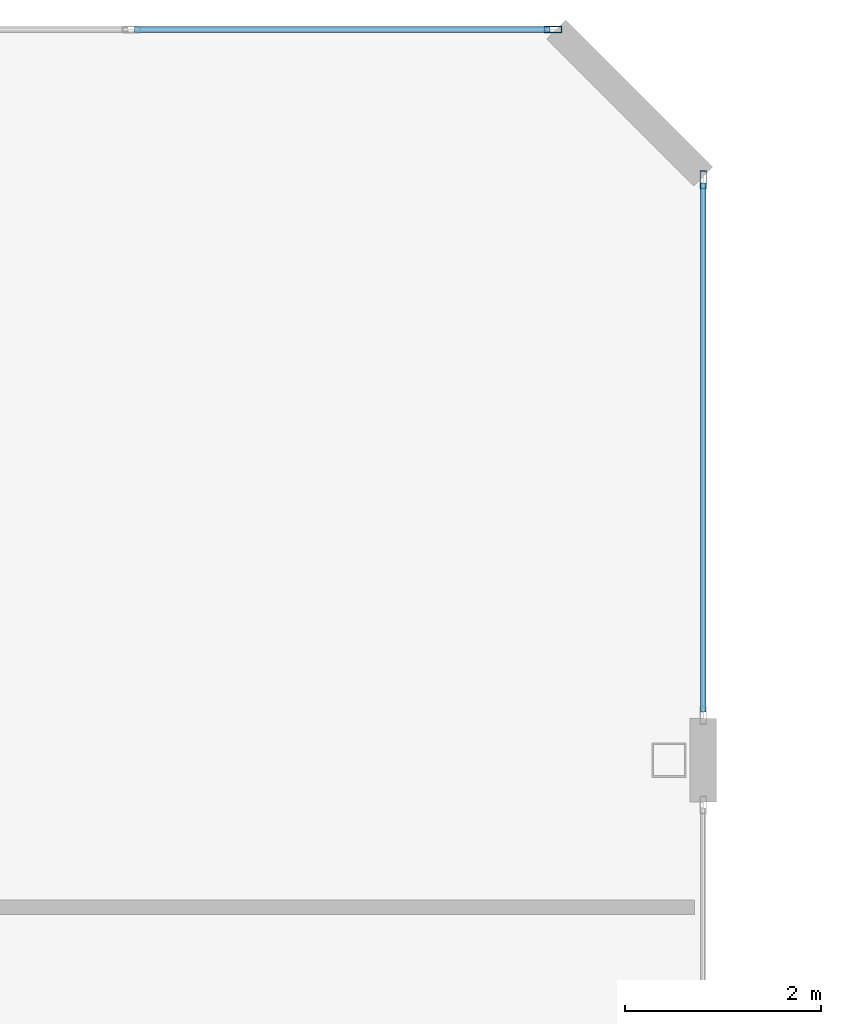
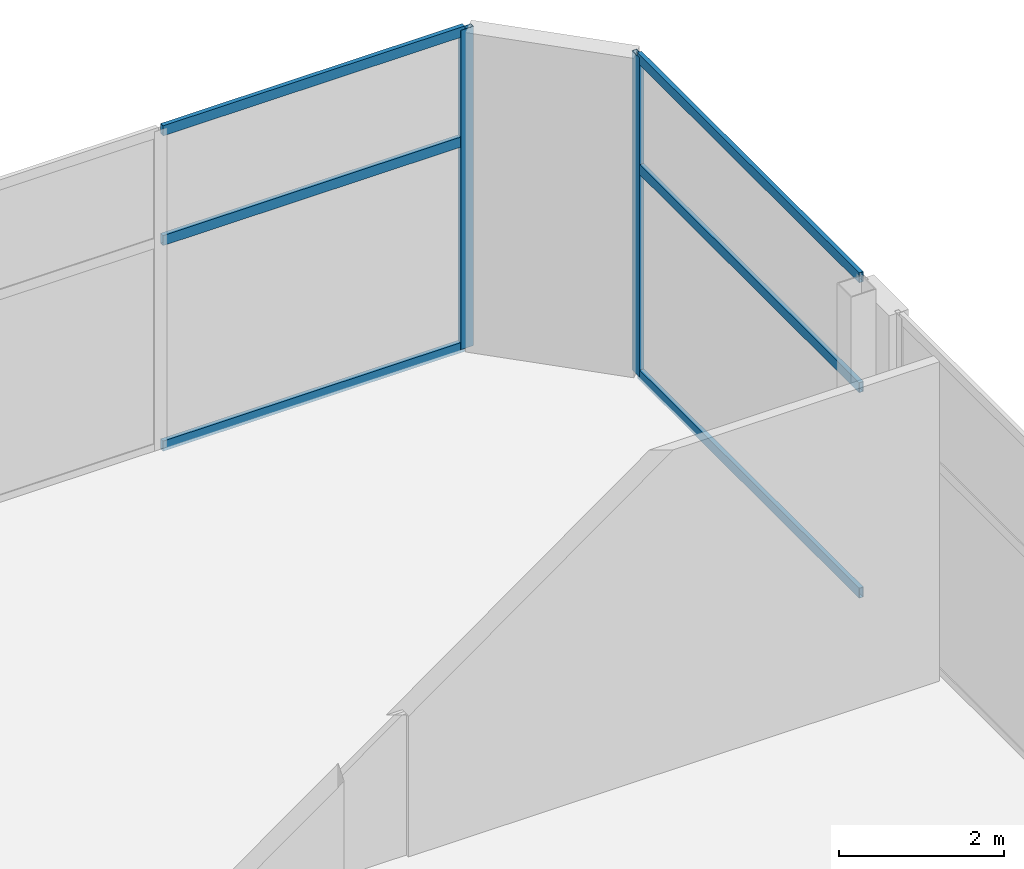
# One storey, part 14 of 18: 8 members, 2 elements without a shape of their own.
"""IFC4 building model written with IfcOpenShell, lengths in metres."""

from ifc_helpers import new_model, si_unit, direction, frame, origin, origin_2d, place, context, subcontext, project, spatial, hollow_rectangle, extrude, material, layer, layer_set, material_profile, profile_set, type_object, element, aggregate, save


model = new_model("IFC4")

# Units and contexts
model_context = context("Model", 3, precision=1e-05, world=origin(), true_north=direction((0.0, 1.0)))
body_context = subcontext(model_context, "Body", "Model", "MODEL_VIEW")
ifc_project = project(units=[si_unit("LENGTHUNIT", "METRE"), si_unit("AREAUNIT", "SQUARE_METRE"), si_unit("VOLUMEUNIT", "CUBIC_METRE"), si_unit("PLANEANGLEUNIT", "RADIAN"), si_unit("MASSUNIT", "GRAM", prefix="KILO")], contexts=[model_context])

# Site, building, storey
site_placement = place(None, origin())
site = spatial("IfcSite", under=ifc_project, at=site_placement, CompositionType="ELEMENT")
building_placement = place(site_placement, origin())
building = spatial("IfcBuilding", under=site, at=building_placement, Name="Mawjaban Terraces University", CompositionType="ELEMENT")
storey_placement = place(building_placement, frame((0.0, 0.0, 316.699951171875)))
storey = spatial("IfcBuildingStorey", under=building, at=storey_placement, Name="L77", CompositionType="ELEMENT", Elevation=316.699951171875)

# Curtain wall, member
ifc_material_1 = material(Name="Anodised aluminium 6063-T6 and solar-control low-E glass", Category="aluminium")
ifc_layer = layer(ifc_material_1, 0.199951171875)
ifc_layer_set = layer_set([ifc_layer], Name="Anodised aluminium 6063-T6 and solar-control low-E glass")
curtain_wall_type = type_object("IfcCurtainWallType", Name="CWSystem_06_ObservationCrown", PredefinedType="NOTDEFINED", material=ifc_layer_set)
curtain_wall_1_placement = place(storey_placement, origin())
curtain_wall_1 = element("IfcCurtainWall", 1, at=curtain_wall_1_placement, inside=storey, type_object=curtain_wall_type, Name="L77 Curtain Wall CW-06 Run 3.3", PredefinedType="NOTDEFINED")
ifc_material_2 = material(Name="Anodised aluminium 6063-T6", Category="aluminium")
ifc_material_profile_1 = material_profile(ifc_material_2, hollow_rectangle(XDim=0.06494140625, YDim=0.179931640625, WallThickness=0.00390625, at=origin_2d()), Name="ALU180X65X4")
ifc_profile_set_1 = profile_set([ifc_material_profile_1], Name="Anodised aluminium 6063-T6")
member_type_1 = type_object("IfcMemberType", Name="Mullion_CW-06", PredefinedType="MULLION", material=ifc_profile_set_1)
member_1_placement = place(storey_placement, frame((38.0, 35.91748046875, 0.0), z_axis=(0.0, 0.0, 1.0), x_axis=(-1.0, 0.0, 0.0)))
member_1 = element("IfcMember", 2, at=member_1_placement, type_object=member_type_1, Name="CW-06 mullion 2", PredefinedType="MULLION", context=body_context, shape_type="SweptSolid", body=[
    extrude(hollow_rectangle(XDim=0.06494140625, YDim=0.179931640625, WallThickness=0.00390625, at=origin_2d()), origin(), (0.0, 0.0, 1.0), 4.739990234375),
])

curtain_wall_2_placement = place(storey_placement, origin())
curtain_wall_2 = element("IfcCurtainWall", 3, at=curtain_wall_2_placement, inside=storey, type_object=curtain_wall_type, Name="L77 Curtain Wall CW-06 Run 5.1", PredefinedType="NOTDEFINED")
member_2_placement = place(storey_placement, frame((36.467529296875, 37.449951171875, 0.0), z_axis=(0.0, 0.0, 1.0), x_axis=(0.0, -1.0, 0.0)))
member_2 = element("IfcMember", 4, at=member_2_placement, type_object=member_type_1, Name="CW-06 mullion 1", PredefinedType="MULLION", context=body_context, shape_type="SweptSolid", body=[
    extrude(hollow_rectangle(XDim=0.06494140625, YDim=0.179931640625, WallThickness=0.00390625, at=origin_2d()), origin(), (0.0, 0.0, 1.0), 4.739990234375),
])

# Member
ifc_material_profile_2 = material_profile(ifc_material_2, hollow_rectangle(XDim=0.06005859375, YDim=0.14990234375, WallThickness=0.00390625, at=origin_2d()), Name="ALU150X60X4")
ifc_profile_set_2 = profile_set([ifc_material_profile_2], Name="Anodised aluminium 6063-T6")
member_type_2 = type_object("IfcMemberType", Name="Transom_CW-06", PredefinedType="NOTDEFINED", material=ifc_profile_set_2)
member_3_placement = place(storey_placement, frame((38.0, 30.489990234375, 0.030029296875), z_axis=(0.0, 1.0, 0.0), x_axis=(-1.0, 0.0, 0.0)))
member_3 = element("IfcMember", 5, at=member_3_placement, type_object=member_type_2, Name="CW-06 transom 1.1", ObjectType="TRANSOM", PredefinedType="USERDEFINED", context=body_context, shape_type="SweptSolid", body=[
    extrude(hollow_rectangle(XDim=0.06005859375, YDim=0.14990234375, WallThickness=0.00390625, at=origin_2d()), origin(), (0.0, 0.0, 1.0), 5.39501953125),
])

member_4_placement = place(storey_placement, frame((38.0, 30.489990234375, 3.0810546875), z_axis=(0.0, 1.0, 0.0), x_axis=(-1.0, 0.0, 0.0)))
member_4 = element("IfcMember", 6, at=member_4_placement, type_object=member_type_2, Name="CW-06 transom 1.2", ObjectType="TRANSOM", PredefinedType="USERDEFINED", context=body_context, shape_type="SweptSolid", body=[
    extrude(hollow_rectangle(XDim=0.06005859375, YDim=0.14990234375, WallThickness=0.00390625, at=origin_2d()), origin(), (0.0, 0.0, 1.0), 5.39501953125),
])

member_5_placement = place(storey_placement, frame((38.0, 30.489990234375, 4.7099609375), z_axis=(0.0, 1.0, 0.0), x_axis=(-1.0, 0.0, 0.0)))
member_5 = element("IfcMember", 7, at=member_5_placement, type_object=member_type_2, Name="CW-06 transom 1.3", ObjectType="TRANSOM", PredefinedType="USERDEFINED", context=body_context, shape_type="SweptSolid", body=[
    extrude(hollow_rectangle(XDim=0.06005859375, YDim=0.14990234375, WallThickness=0.00390625, at=origin_2d()), origin(), (0.0, 0.0, 1.0), 5.39501953125),
])

aggregate(curtain_wall_1, [member_1, member_3, member_4, member_5])

member_6_placement = place(storey_placement, frame((36.43505859375, 37.449951171875, 0.030029296875), z_axis=(-1.0, 0.0, 0.0), x_axis=(0.0, -1.0, 0.0)))
member_6 = element("IfcMember", 8, at=member_6_placement, type_object=member_type_2, Name="CW-06 transom 1.1", ObjectType="TRANSOM", PredefinedType="USERDEFINED", context=body_context, shape_type="SweptSolid", body=[
    extrude(hollow_rectangle(XDim=0.06005859375, YDim=0.14990234375, WallThickness=0.00390625, at=origin_2d()), origin(), (0.0, 0.0, 1.0), 4.23583984375),
])

member_7_placement = place(storey_placement, frame((36.43505859375, 37.449951171875, 3.0810546875), z_axis=(-1.0, 0.0, 0.0), x_axis=(0.0, -1.0, 0.0)))
member_7 = element("IfcMember", 9, at=member_7_placement, type_object=member_type_2, Name="CW-06 transom 1.2", ObjectType="TRANSOM", PredefinedType="USERDEFINED", context=body_context, shape_type="SweptSolid", body=[
    extrude(hollow_rectangle(XDim=0.06005859375, YDim=0.14990234375, WallThickness=0.00390625, at=origin_2d()), origin(), (0.0, 0.0, 1.0), 4.23583984375),
])

member_8_placement = place(storey_placement, frame((36.43505859375, 37.449951171875, 4.7099609375), z_axis=(-1.0, 0.0, 0.0), x_axis=(0.0, -1.0, 0.0)))
member_8 = element("IfcMember", 10, at=member_8_placement, type_object=member_type_2, Name="CW-06 transom 1.3", ObjectType="TRANSOM", PredefinedType="USERDEFINED", context=body_context, shape_type="SweptSolid", body=[
    extrude(hollow_rectangle(XDim=0.06005859375, YDim=0.14990234375, WallThickness=0.00390625, at=origin_2d()), origin(), (0.0, 0.0, 1.0), 4.23583984375),
])

aggregate(curtain_wall_2, [member_2, member_6, member_7, member_8])

save(model, "model.ifc")
